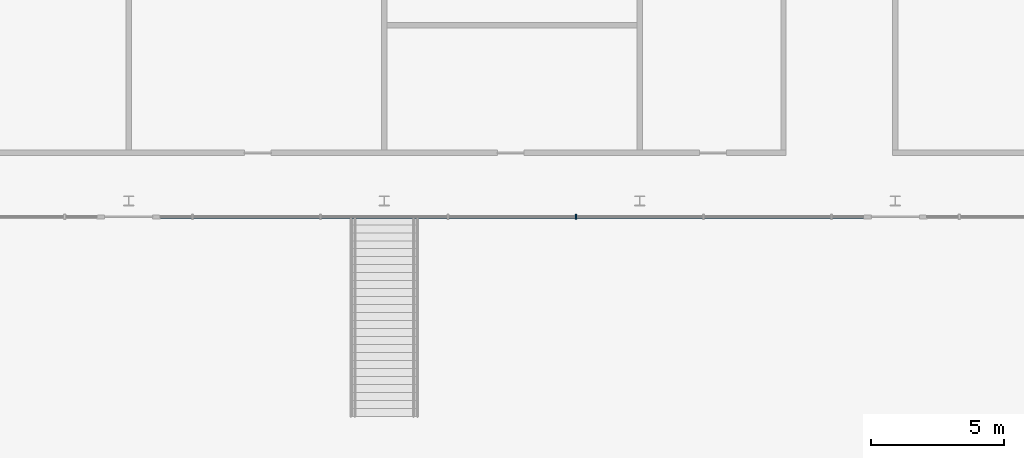
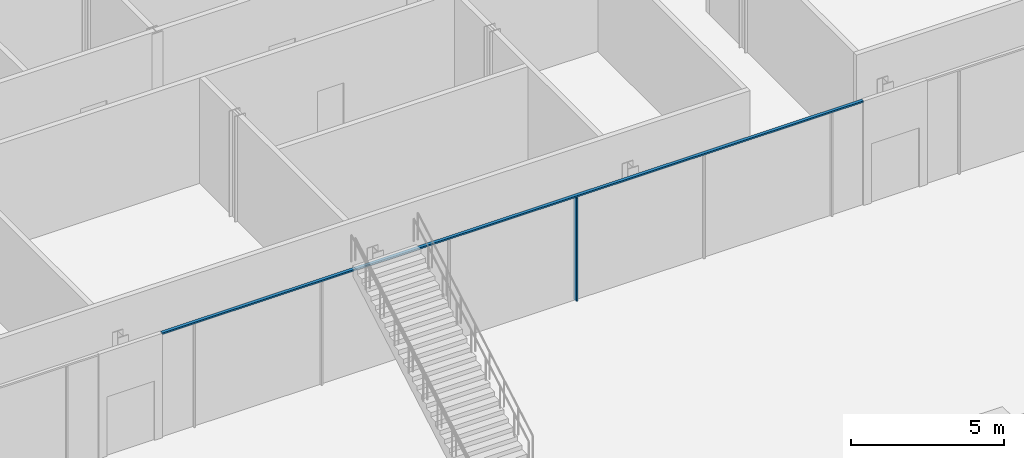
# One storey, part 7 of 45: 2 members, 1 element without a shape of its own.
"""IFC4 building model written with IfcOpenShell, lengths in metres."""

from ifc_helpers import new_model, si_unit, direction, frame, origin, origin_2d, place, context, subcontext, project, spatial, rectangle, extrude, material, layer, layer_set, material_profile, profile_set, type_object, element, aggregate, save


model = new_model("IFC4")

# Units and contexts
model_context = context("Model", 3, precision=1e-05, world=origin(), true_north=direction((0.0, 1.0)))
body_context = subcontext(model_context, "Body", "Model", "MODEL_VIEW")
ifc_project = project(units=[si_unit("LENGTHUNIT", "METRE"), si_unit("AREAUNIT", "SQUARE_METRE"), si_unit("VOLUMEUNIT", "CUBIC_METRE"), si_unit("PLANEANGLEUNIT", "RADIAN"), si_unit("MASSUNIT", "GRAM", prefix="KILO")], contexts=[model_context])

# Site, building, storey
site_placement = place(None, origin())
site = spatial("IfcSite", under=ifc_project, at=site_placement, CompositionType="ELEMENT")
building_placement = place(site_placement, origin())
building = spatial("IfcBuilding", under=site, at=building_placement, Name="Madar Terraces", CompositionType="ELEMENT")
storey_placement = place(building_placement, frame((0.0, 0.0, 6.0)))
storey = spatial("IfcBuildingStorey", under=building, at=storey_placement, Name="L01", CompositionType="ELEMENT", Elevation=6.0)

# Curtain wall, members
ifc_material_1 = material(Name="Glass, clear low-iron, with black aluminium frame", Category="aluminium")
ifc_layer = layer(ifc_material_1, 0.199951171875)
ifc_layer_set = layer_set([ifc_layer], Name="Facade curtain wall, shopfront glazing")
curtain_wall_type = type_object("IfcCurtainWallType", Name="Facade curtain wall, shopfront glazing", PredefinedType="NOTDEFINED", material=ifc_layer_set)
curtain_wall_placement = place(storey_placement, origin())
curtain_wall = element("IfcCurtainWall", 1, at=curtain_wall_placement, inside=storey, type_object=curtain_wall_type, Name="Outer skin curtain wall south bay 1", PredefinedType="NOTDEFINED")
ifc_material_2 = material(Name="Aluminium, black anodised", Category="aluminium")
ifc_material_profile_1 = material_profile(ifc_material_2, rectangle(XDim=0.199951171875, YDim=0.06005859375, at=origin_2d()), Name="Facade mullion 60x200")
ifc_profile_set_1 = profile_set([ifc_material_profile_1], Name="Aluminium, black anodised")
member_type_1 = type_object("IfcMemberType", Name="Facade mullion 60x200", PredefinedType="MULLION", material=ifc_profile_set_1)
member_1_placement = place(storey_placement, frame((21.60009765625, -38.39990234375, 0.0), z_axis=(0.0, 0.0, 1.0), x_axis=(0.0, 1.0, 0.0)))
member_1 = element("IfcMember", 2, at=member_1_placement, type_object=member_type_1, Name="Mullion 5", PredefinedType="MULLION", context=body_context, shape_type="SweptSolid", body=[
    extrude(rectangle(XDim=0.199951171875, YDim=0.06005859375, at=origin_2d()), origin(), (0.0, 0.0, 1.0), 4.139892578125),
])
ifc_material_3 = material(Name="Aluminium, black anodised", Category="aluminium")
ifc_material_profile_2 = material_profile(ifc_material_3, rectangle(XDim=0.1201171875, YDim=0.06005859375, at=origin_2d()), Name="Facade transom 60x120")
ifc_profile_set_2 = profile_set([ifc_material_profile_2], Name="Aluminium, black anodised")
member_type_2 = type_object("IfcMemberType", Name="Facade transom 60x120", PredefinedType="USERDEFINED", material=ifc_profile_set_2)
member_2_placement = place(storey_placement, frame((6.0, -38.39990234375, 4.169921875), z_axis=(1.0, 0.0, 0.0), x_axis=(0.0, 1.0, 0.0)))
member_2 = element("IfcMember", 3, at=member_2_placement, type_object=member_type_2, Name="Transom 2", ObjectType="TRANSOM", PredefinedType="USERDEFINED", context=body_context, shape_type="SweptSolid", body=[
    extrude(rectangle(XDim=0.1201171875, YDim=0.06005859375, at=origin_2d()), origin(), (0.0, 0.0, 1.0), 26.39990234375),
])
aggregate(curtain_wall, [member_1, member_2])

save(model, "model.ifc")
